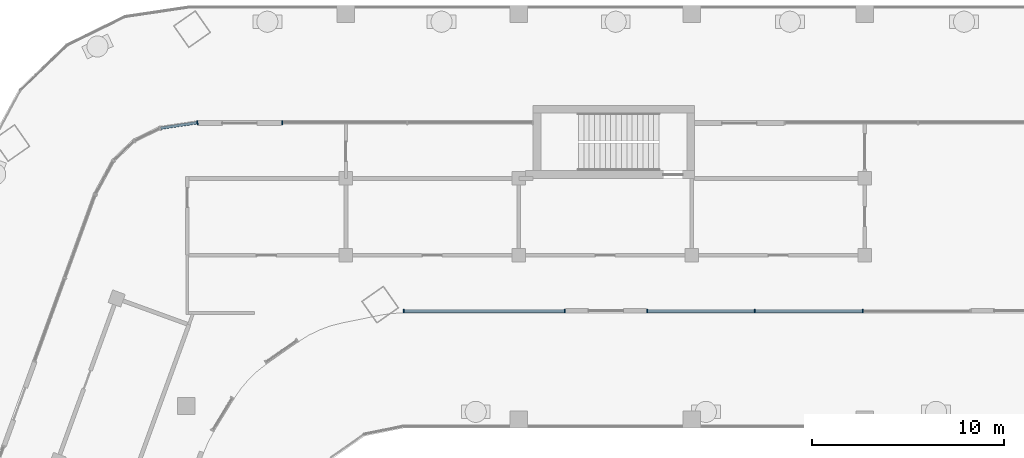
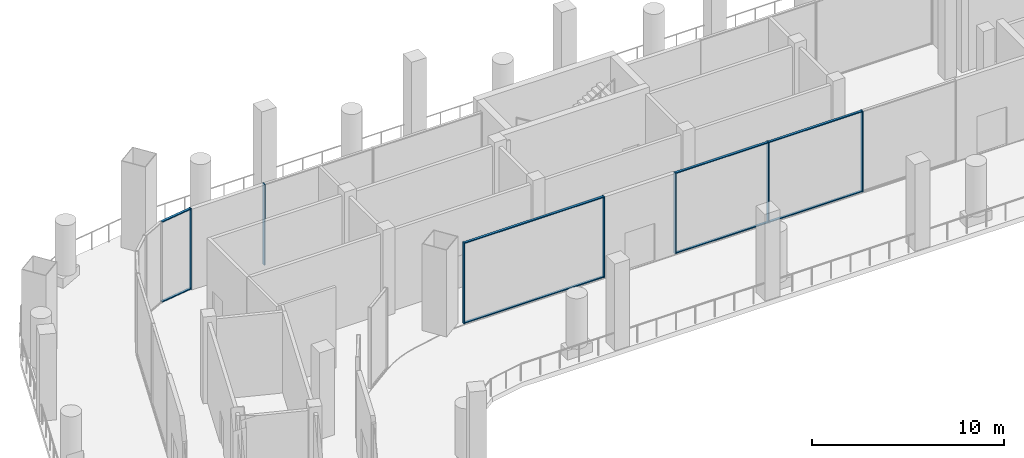
# One storey, part 3 of 19: 15 members, 4 elements without a shape of their own.
"""IFC4 building model written with IfcOpenShell, lengths in metres."""

import ifcopenshell
import ifcopenshell.guid

model = None  # the IFC model being written
_history = None  # IfcOwnerHistory: only IFC2X3 demands one
_inside = {}  # id of a spatial element -> (the spatial element, [elements in it])
_under = {}  # id of a project, library or spatial element -> (it, [spatial elements below it])
_declared = {}  # id of a project -> (the project, [libraries it declares])
_typed = {}  # id of a type object -> (the type object, [elements of that type])
_made_of = {}  # id of a material, layer set ... -> (it, [elements and type objects made of it])


def new_model(schema):
    """Start an empty IFC model of exactly this schema.

    Asked for "IFC4X3", IfcOpenShell would pick the latest addendum, in which some entities
    have other attributes; the version numbers below select the first issue.
    IFC2X3 requires an IfcOwnerHistory on every rooted entity: one is made here for all.
    """
    global model, _history
    if schema == "IFC4X3":
        model = ifcopenshell.file(schema_version=(4, 3, 0, 0))
    else:
        model = ifcopenshell.file(schema=schema)
    _inside.clear()
    _under.clear()
    _declared.clear()
    _typed.clear()
    _made_of.clear()
    _history = None
    if model.schema == "IFC2X3":
        org = make("IfcOrganization", Name="unknown")
        user = make(
            "IfcPersonAndOrganization",
            ThePerson=make("IfcPerson", FamilyName="unknown"),
            TheOrganization=org,
        )
        app = make(
            "IfcApplication",
            ApplicationDeveloper=org,
            Version="unknown",
            ApplicationFullName="unknown",
            ApplicationIdentifier="unknown",
        )
        _history = make(
            "IfcOwnerHistory",
            OwningUser=user,
            OwningApplication=app,
            ChangeAction="ADDED",
            CreationDate=0,
        )
    return model


def make(cls, **values):
    """One entity of the class cls with the attributes given. An attribute that is None is left unset."""
    return model.create_entity(
        cls, **{name: value for name, value in values.items() if value is not None}
    )


def rooted(cls, **values):
    """An entity with a GlobalId (a new one), such as an element, a storey or a relation."""
    return make(cls, GlobalId=ifcopenshell.guid.new(), OwnerHistory=_history, **values)


def si_unit(unit_type, name, prefix=None):
    """IfcSIUnit, for example si_unit("LENGTHUNIT", "METRE", prefix="MILLI")."""
    return make("IfcSIUnit", UnitType=unit_type, Prefix=prefix, Name=name)


def assignment(units):
    """IfcUnitAssignment: the units of a project."""
    return None if units is None else make("IfcUnitAssignment", Units=units)


def point(xyz):
    """IfcCartesianPoint."""
    return None if xyz is None else make("IfcCartesianPoint", Coordinates=xyz)


def direction(xyz):
    """IfcDirection."""
    return None if xyz is None else make("IfcDirection", DirectionRatios=xyz)


def frame(location, z_axis=None, x_axis=None):
    """IfcAxis2Placement3D, a coordinate frame: its origin and axes. An axis left out is left unset."""
    return make(
        "IfcAxis2Placement3D",
        Location=point(location),
        Axis=direction(z_axis),
        RefDirection=direction(x_axis),
    )


def frame_2d(location, x_axis=None):
    """IfcAxis2Placement2D, a coordinate frame in the plane: its origin and x axis."""
    return make(
        "IfcAxis2Placement2D", Location=point(location), RefDirection=direction(x_axis)
    )


def origin():
    """The frame at (0, 0, 0) with its axes left unset."""
    return frame((0.0, 0.0, 0.0))


def origin_2d():
    """The frame at (0, 0) in the plane with its x axis left unset."""
    return frame_2d((0.0, 0.0))


def place(relative_to, where):
    """IfcLocalPlacement: puts the frame where relative to a parent placement (None: the world)."""
    return make(
        "IfcLocalPlacement", PlacementRelTo=relative_to, RelativePlacement=where
    )


def context(
    kind, dimensions, precision=None, world=None, true_north=None, identifier=None
):
    """IfcGeometricRepresentationContext, for example the 3D "Model" context."""
    return make(
        "IfcGeometricRepresentationContext",
        ContextIdentifier=identifier,
        ContextType=kind,
        CoordinateSpaceDimension=dimensions,
        Precision=precision,
        WorldCoordinateSystem=world,
        TrueNorth=true_north,
    )


def subcontext(parent, identifier, kind, view, scale=None):
    """IfcGeometricRepresentationSubContext, for example "Body" below "Model"."""
    return make(
        "IfcGeometricRepresentationSubContext",
        ContextIdentifier=identifier,
        ContextType=kind,
        ParentContext=parent,
        TargetScale=scale,
        TargetView=view,
    )


def project(units=None, contexts=None):
    """IfcProject with its units and contexts."""
    return rooted(
        "IfcProject",
        Name="project",
        RepresentationContexts=contexts,
        UnitsInContext=assignment(units),
    )


def spatial(cls, under=None, at=None, **own):
    """A site, building, storey or space (cls), placed at a placement, below another one or the project."""
    s = rooted(cls, ObjectPlacement=at, **own)
    if under is not None:
        _under.setdefault(under.id(), (under, []))[1].append(s)
    return s


def profile(cls, at=None, kind="AREA", **sizes):
    """A parametric profile (cls). Its sizes go by their IFC names, for example OverallWidth=200.0."""
    return make(cls, ProfileType=kind, Position=at, **sizes)


def rectangle(**sizes):
    """IfcRectangleProfileDef."""
    return profile("IfcRectangleProfileDef", **sizes)


def extrude(swept, where, along, depth):
    """IfcExtrudedAreaSolid: the profile swept, set in the frame where, extruded along a direction by depth."""
    return make(
        "IfcExtrudedAreaSolid",
        SweptArea=swept,
        Position=where,
        ExtrudedDirection=direction(along),
        Depth=depth,
    )


def shape(context_of_items, identifier, shape_type, items):
    """IfcShapeRepresentation: the items that make up one representation, for example the "Body"."""
    return make(
        "IfcShapeRepresentation",
        ContextOfItems=context_of_items,
        RepresentationIdentifier=identifier,
        RepresentationType=shape_type,
        Items=items,
    )


def material(Name=None, Category=None):
    """IfcMaterial."""
    return make("IfcMaterial", Name=Name, Category=Category)


def material_profile(
    of_material, cross_section, Name=None, Category=None, Priority=None
):
    """IfcMaterialProfile: a cross section and its material."""
    return make(
        "IfcMaterialProfile",
        Name=Name,
        Material=of_material,
        Profile=cross_section,
        Priority=Priority,
        Category=Category,
    )


def profile_set(profiles, Name=None, composite=None):
    """IfcMaterialProfileSet."""
    return make(
        "IfcMaterialProfileSet",
        Name=Name,
        MaterialProfiles=profiles,
        CompositeProfile=composite,
    )


def made_of(thing, what):
    """Note that an element or type object is made of a material, layer set ...; save() writes the relation."""
    if what is not None:
        _made_of.setdefault(what.id(), (what, []))[1].append(thing)
    return thing


def type_object(cls, material=None, **own):
    """A type object (cls), such as IfcWallType, which elements share."""
    return made_of(rooted(cls, **own), material)


def element(
    cls,
    number,
    at=None,
    inside=None,
    cuts=None,
    type_object=None,
    material=None,
    context=None,
    identifier="Body",
    shape_type=None,
    held_by="IfcProductDefinitionShape",
    body=None,
    shapes=None,
    **own,
):
    """One element of the class cls, such as IfcWall. Its Tag is "e" and its number.

    at: its placement. inside: the storey or other place that contains it. cuts: it is an
    opening in that element (IfcRelVoidsElement). A single representation is given by context,
    identifier, shape_type and body (its items); several are given by shapes. held_by: the class
    of the entity that holds the representations. save() writes the other relations.
    """
    e = rooted(cls, Tag="e%d" % number, ObjectPlacement=at, **own)
    if body is not None:
        shapes = [shape(context, identifier, shape_type, body)]
    if shapes is not None:
        e.Representation = make(held_by, Representations=shapes)
    if inside is not None:
        _inside.setdefault(inside.id(), (inside, []))[1].append(e)
    if cuts is not None:
        rooted(
            "IfcRelVoidsElement", RelatingBuildingElement=cuts, RelatedOpeningElement=e
        )
    if type_object is not None:
        _typed.setdefault(type_object.id(), (type_object, []))[1].append(e)
    return made_of(e, material)


def aggregate(whole, parts):
    """IfcRelAggregates: a whole, such as a stair, and the parts it consists of."""
    return rooted("IfcRelAggregates", RelatingObject=whole, RelatedObjects=parts)


def save(model, path):
    """Write the relations noted so far, then the file.

    IfcRelAggregates (storeys below a building ...), IfcRelContainedInSpatialStructure (elements
    in a storey), IfcRelDefinesByType, IfcRelAssociatesMaterial and IfcRelDeclares: one each for
    every whole, place, type object, material and project.
    """
    for whole, parts in _under.values():
        aggregate(whole, parts)
    for where, things in _inside.values():
        rooted(
            "IfcRelContainedInSpatialStructure",
            RelatedElements=things,
            RelatingStructure=where,
        )
    for kind, things in _typed.values():
        rooted("IfcRelDefinesByType", RelatedObjects=things, RelatingType=kind)
    for what, things in _made_of.values():
        rooted("IfcRelAssociatesMaterial", RelatedObjects=things, RelatingMaterial=what)
    for by, libraries in _declared.values():
        rooted("IfcRelDeclares", RelatingContext=by, RelatedDefinitions=libraries)
    model.write(path)


model = new_model("IFC4")

# Units and contexts
model_context = context("Model", 3, precision=1e-05, world=origin(), true_north=direction((0.0, 1.0)))
body_context = subcontext(model_context, "Body", "Model", "MODEL_VIEW")
ifc_project = project(units=[si_unit("LENGTHUNIT", "METRE"), si_unit("AREAUNIT", "SQUARE_METRE"), si_unit("VOLUMEUNIT", "CUBIC_METRE"), si_unit("PLANEANGLEUNIT", "RADIAN"), si_unit("MASSUNIT", "GRAM", prefix="KILO")], contexts=[model_context])

# Site, building, storey
site_placement = place(None, origin())
site = spatial("IfcSite", under=ifc_project, at=site_placement, CompositionType="ELEMENT")
building_placement = place(site_placement, origin())
building = spatial("IfcBuilding", under=site, at=building_placement, Name="Skarvind Civic Tower", CompositionType="ELEMENT")
storey_placement = place(building_placement, frame((0.0, 0.0, 75.5)))
storey = spatial("IfcBuildingStorey", under=building, at=storey_placement, Name="L17", CompositionType="ELEMENT", Elevation=75.5)

# Curtain wall, members
ifc_material_1 = material(Name="Aluminium alloy 6063 and laminated glass", Category="aluminium")
curtain_wall_type = type_object("IfcCurtainWallType", Name="CW3 SEPARATOR INNER GLAZING", PredefinedType="NOTDEFINED", material=ifc_material_1)
curtain_wall_1_placement = place(storey_placement, origin())
curtain_wall_1 = element("IfcCurtainWall", 1, at=curtain_wall_1_placement, inside=storey, type_object=curtain_wall_type, Name="SEPARATOR INNER GLAZING", PredefinedType="NOTDEFINED")
ifc_material_2 = material(Name="Aluminium alloy 6063", Category="aluminium")
ifc_material_profile_1 = material_profile(ifc_material_2, rectangle(XDim=0.199951171875, YDim=0.06005859375, at=origin_2d()), Name="AL 60x200")
ifc_profile_set_1 = profile_set([ifc_material_profile_1], Name="Aluminium alloy 6063")
member_type_1 = type_object("IfcMemberType", Name="CW3 MULLION 60x200", PredefinedType="MULLION", material=ifc_profile_set_1)
member_1_placement = place(storey_placement, frame((81.15185546875, 123.10009765625, 0.0), z_axis=(0.0, 0.0, 1.0), x_axis=(0.0, -1.0, 0.0)))
member_1 = element("IfcMember", 2, at=member_1_placement, type_object=member_type_1, Name="CW3 mullion 2", PredefinedType="MULLION", context=body_context, shape_type="SweptSolid", body=[
    extrude(rectangle(XDim=0.199951171875, YDim=0.06005859375, at=origin_2d()), origin(), (0.0, 0.0, 1.0), 5.125),
])
member_2_placement = place(storey_placement, frame((75.5244140625, 123.10009765625, 0.0), z_axis=(0.0, 0.0, 1.0), x_axis=(0.0, -1.0, 0.0)))
member_2 = element("IfcMember", 3, at=member_2_placement, type_object=member_type_1, Name="CW3 mullion 3", PredefinedType="MULLION", context=body_context, shape_type="SweptSolid", body=[
    extrude(rectangle(XDim=0.199951171875, YDim=0.06005859375, at=origin_2d()), origin(), (0.0, 0.0, 1.0), 5.125),
])
member_3_placement = place(storey_placement, frame((69.927001953125, 123.10009765625, 0.0), z_axis=(0.0, 0.0, 1.0), x_axis=(0.0, -1.0, 0.0)))
member_3 = element("IfcMember", 4, at=member_3_placement, type_object=member_type_1, Name="CW3 mullion 4", PredefinedType="MULLION", context=body_context, shape_type="SweptSolid", body=[
    extrude(rectangle(XDim=0.199951171875, YDim=0.06005859375, at=origin_2d()), origin(), (0.0, 0.0, 1.0), 5.125),
])

curtain_wall_2_placement = place(storey_placement, origin())
curtain_wall_2 = element("IfcCurtainWall", 5, at=curtain_wall_2_placement, inside=storey, type_object=curtain_wall_type, Name="SEPARATOR INNER GLAZING", PredefinedType="NOTDEFINED")
member_4_placement = place(storey_placement, frame((65.646240234375, 123.10009765625, 0.0), z_axis=(0.0, 0.0, 1.0), x_axis=(0.0, -1.0, 0.0)))
member_4 = element("IfcMember", 6, at=member_4_placement, type_object=member_type_1, Name="CW3 mullion 1", PredefinedType="MULLION", context=body_context, shape_type="SweptSolid", body=[
    extrude(rectangle(XDim=0.199951171875, YDim=0.06005859375, at=origin_2d()), origin(), (0.0, 0.0, 1.0), 5.125),
])
member_5_placement = place(storey_placement, frame((57.26513671875, 123.10009765625, 0.0), z_axis=(0.0, 0.0, 1.0), x_axis=(0.0, -1.0, 0.0)))
member_5 = element("IfcMember", 7, at=member_5_placement, type_object=member_type_1, Name="CW3 mullion 2", PredefinedType="MULLION", context=body_context, shape_type="SweptSolid", body=[
    extrude(rectangle(XDim=0.199951171875, YDim=0.06005859375, at=origin_2d()), origin(), (0.0, 0.0, 1.0), 5.125),
])

# Curtain wall, member
curtain_wall_3_placement = place(storey_placement, origin())
curtain_wall_3 = element("IfcCurtainWall", 8, at=curtain_wall_3_placement, inside=storey, type_object=curtain_wall_type, Name="SEPARATOR INNER GLAZING", PredefinedType="NOTDEFINED")
member_6_placement = place(storey_placement, frame((50.934326171875, 132.89990234375, 0.0), z_axis=(0.0, 0.0, 1.0), x_axis=(0.0, 1.0, 0.0)))
member_6 = element("IfcMember", 9, at=member_6_placement, type_object=member_type_1, Name="CW3 mullion 1", PredefinedType="MULLION", context=body_context, shape_type="SweptSolid", body=[
    extrude(rectangle(XDim=0.199951171875, YDim=0.06005859375, at=origin_2d()), origin(), (0.0, 0.0, 1.0), 5.125),
])
aggregate(curtain_wall_3, [member_6])

curtain_wall_4_placement = place(storey_placement, origin())
curtain_wall_4 = element("IfcCurtainWall", 10, at=curtain_wall_4_placement, inside=storey, type_object=curtain_wall_type, Name="SEPARATOR INNER GLAZING", PredefinedType="NOTDEFINED")
member_7_placement = place(storey_placement, frame((46.524169921875, 132.896728515625, 0.0), z_axis=(0.0, 0.0, 1.0), x_axis=(-0.147088185109, 0.989123382496, 0.0)))
member_7 = element("IfcMember", 11, at=member_7_placement, type_object=member_type_1, Name="CW3 mullion 2", PredefinedType="MULLION", context=body_context, shape_type="SweptSolid", body=[
    extrude(rectangle(XDim=0.199951171875, YDim=0.06005859375, at=origin_2d()), origin(), (0.0, 0.0, 1.0), 5.125),
])

# Member
ifc_material_profile_2 = material_profile(ifc_material_2, rectangle(XDim=0.139892578125, YDim=0.06005859375, at=origin_2d()), Name="AL 60x140")
ifc_profile_set_2 = profile_set([ifc_material_profile_2], Name="Aluminium alloy 6063")
member_type_2 = type_object("IfcMemberType", Name="CW3 TRANSOM 60x140", PredefinedType="USERDEFINED", material=ifc_profile_set_2)
member_8_placement = place(storey_placement, frame((81.121826171875, 123.10009765625, 0.030029296875), z_axis=(-1.0, 0.0, 0.0), x_axis=(0.0, -1.0, 0.0)))
member_8 = element("IfcMember", 12, at=member_8_placement, type_object=member_type_2, Name="CW3 transom 2.1", ObjectType="TRANSOM", PredefinedType="USERDEFINED", context=body_context, shape_type="SweptSolid", body=[
    extrude(rectangle(XDim=0.139892578125, YDim=0.06005859375, at=origin_2d()), origin(), (0.0, 0.0, 1.0), 5.5673828125),
])

member_9_placement = place(storey_placement, frame((81.121826171875, 123.10009765625, 5.094970703125), z_axis=(-1.0, 0.0, 0.0), x_axis=(0.0, -1.0, 0.0)))
member_9 = element("IfcMember", 13, at=member_9_placement, type_object=member_type_2, Name="CW3 transom 2.2", ObjectType="TRANSOM", PredefinedType="USERDEFINED", context=body_context, shape_type="SweptSolid", body=[
    extrude(rectangle(XDim=0.139892578125, YDim=0.06005859375, at=origin_2d()), origin(), (0.0, 0.0, 1.0), 5.5673828125),
])

member_10_placement = place(storey_placement, frame((75.494384765625, 123.10009765625, 0.030029296875), z_axis=(-1.0, 0.0, 0.0), x_axis=(0.0, -1.0, 0.0)))
member_10 = element("IfcMember", 14, at=member_10_placement, type_object=member_type_2, Name="CW3 transom 3.1", ObjectType="TRANSOM", PredefinedType="USERDEFINED", context=body_context, shape_type="SweptSolid", body=[
    extrude(rectangle(XDim=0.139892578125, YDim=0.06005859375, at=origin_2d()), origin(), (0.0, 0.0, 1.0), 5.53759765625),
])

member_11_placement = place(storey_placement, frame((75.494384765625, 123.10009765625, 5.094970703125), z_axis=(-1.0, 0.0, 0.0), x_axis=(0.0, -1.0, 0.0)))
member_11 = element("IfcMember", 15, at=member_11_placement, type_object=member_type_2, Name="CW3 transom 3.2", ObjectType="TRANSOM", PredefinedType="USERDEFINED", context=body_context, shape_type="SweptSolid", body=[
    extrude(rectangle(XDim=0.139892578125, YDim=0.06005859375, at=origin_2d()), origin(), (0.0, 0.0, 1.0), 5.53759765625),
])

aggregate(curtain_wall_1, [member_1, member_2, member_3, member_8, member_9, member_10, member_11])

member_12_placement = place(storey_placement, frame((65.6162109375, 123.10009765625, 0.030029296875), z_axis=(-1.0, 0.0, 0.0), x_axis=(0.0, -1.0, 0.0)))
member_12 = element("IfcMember", 16, at=member_12_placement, type_object=member_type_2, Name="CW3 transom 1.1", ObjectType="TRANSOM", PredefinedType="USERDEFINED", context=body_context, shape_type="SweptSolid", body=[
    extrude(rectangle(XDim=0.139892578125, YDim=0.06005859375, at=origin_2d()), origin(), (0.0, 0.0, 1.0), 8.321044921875),
])

member_13_placement = place(storey_placement, frame((65.6162109375, 123.10009765625, 5.094970703125), z_axis=(-1.0, 0.0, 0.0), x_axis=(0.0, -1.0, 0.0)))
member_13 = element("IfcMember", 17, at=member_13_placement, type_object=member_type_2, Name="CW3 transom 1.2", ObjectType="TRANSOM", PredefinedType="USERDEFINED", context=body_context, shape_type="SweptSolid", body=[
    extrude(rectangle(XDim=0.139892578125, YDim=0.06005859375, at=origin_2d()), origin(), (0.0, 0.0, 1.0), 8.321044921875),
])

aggregate(curtain_wall_2, [member_4, member_5, member_12, member_13])

member_14_placement = place(storey_placement, frame((44.6201171875, 132.613525390625, 0.030029296875), z_axis=(0.989118913617, 0.14711823383, 0.0), x_axis=(-0.14711823383, 0.989118913617, 0.0)))
member_14 = element("IfcMember", 18, at=member_14_placement, type_object=member_type_2, Name="CW3 transom 1.1", ObjectType="TRANSOM", PredefinedType="USERDEFINED", context=body_context, shape_type="SweptSolid", body=[
    extrude(rectangle(XDim=0.139892578125, YDim=0.06005859375, at=origin_2d()), origin(), (0.0, 0.0, 1.0), 1.89501953125),
])

member_15_placement = place(storey_placement, frame((44.6201171875, 132.613525390625, 5.094970703125), z_axis=(0.989118913617, 0.14711823383, 0.0), x_axis=(-0.14711823383, 0.989118913617, 0.0)))
member_15 = element("IfcMember", 19, at=member_15_placement, type_object=member_type_2, Name="CW3 transom 1.2", ObjectType="TRANSOM", PredefinedType="USERDEFINED", context=body_context, shape_type="SweptSolid", body=[
    extrude(rectangle(XDim=0.139892578125, YDim=0.06005859375, at=origin_2d()), origin(), (0.0, 0.0, 1.0), 1.89501953125),
])

aggregate(curtain_wall_4, [member_7, member_14, member_15])

save(model, "model.ifc")
